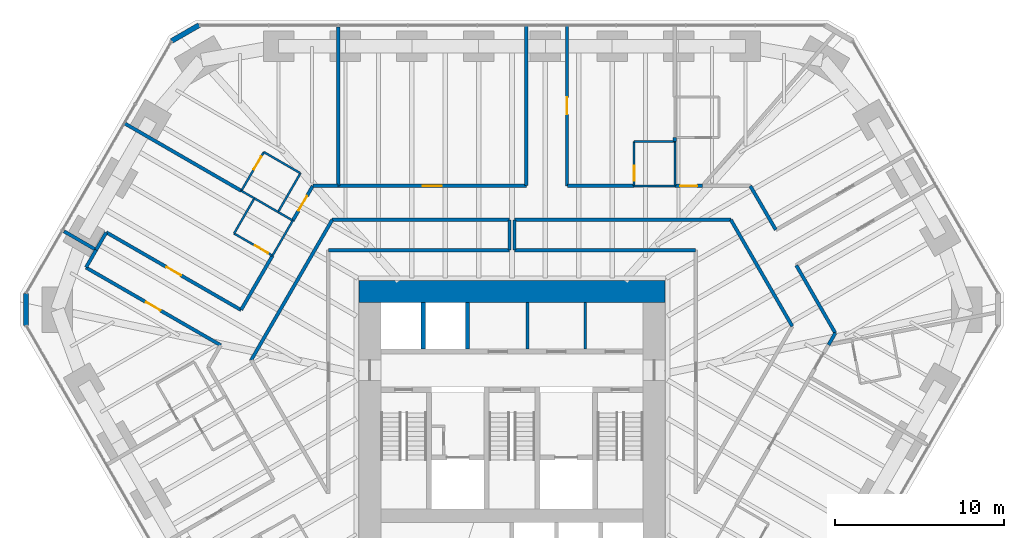
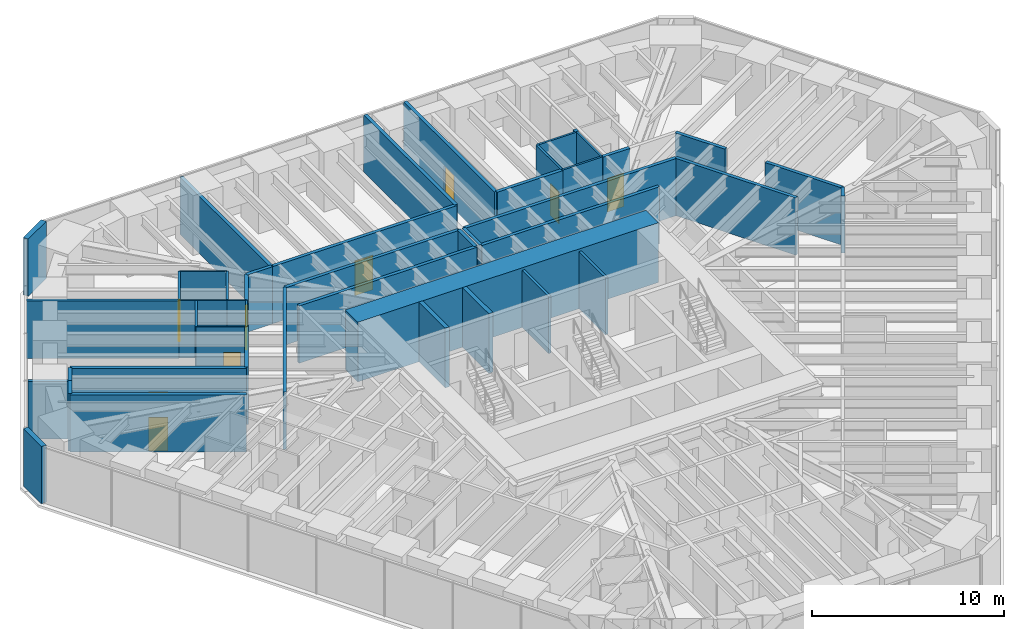
# One storey, part 14 of 16: 47 walls, 9 doors, 9 openings.
"""IFC4 building model written with IfcOpenShell, lengths in metres."""

import ifcopenshell
import ifcopenshell.guid

model = None  # the IFC model being written
_history = None  # IfcOwnerHistory: only IFC2X3 demands one
_inside = {}  # id of a spatial element -> (the spatial element, [elements in it])
_under = {}  # id of a project, library or spatial element -> (it, [spatial elements below it])
_declared = {}  # id of a project -> (the project, [libraries it declares])
_typed = {}  # id of a type object -> (the type object, [elements of that type])
_made_of = {}  # id of a material, layer set ... -> (it, [elements and type objects made of it])


def new_model(schema):
    """Start an empty IFC model of exactly this schema.

    Asked for "IFC4X3", IfcOpenShell would pick the latest addendum, in which some entities
    have other attributes; the version numbers below select the first issue.
    IFC2X3 requires an IfcOwnerHistory on every rooted entity: one is made here for all.
    """
    global model, _history
    if schema == "IFC4X3":
        model = ifcopenshell.file(schema_version=(4, 3, 0, 0))
    else:
        model = ifcopenshell.file(schema=schema)
    _inside.clear()
    _under.clear()
    _declared.clear()
    _typed.clear()
    _made_of.clear()
    _history = None
    if model.schema == "IFC2X3":
        org = make("IfcOrganization", Name="unknown")
        user = make(
            "IfcPersonAndOrganization",
            ThePerson=make("IfcPerson", FamilyName="unknown"),
            TheOrganization=org,
        )
        app = make(
            "IfcApplication",
            ApplicationDeveloper=org,
            Version="unknown",
            ApplicationFullName="unknown",
            ApplicationIdentifier="unknown",
        )
        _history = make(
            "IfcOwnerHistory",
            OwningUser=user,
            OwningApplication=app,
            ChangeAction="ADDED",
            CreationDate=0,
        )
    return model


def make(cls, **values):
    """One entity of the class cls with the attributes given. An attribute that is None is left unset."""
    return model.create_entity(
        cls, **{name: value for name, value in values.items() if value is not None}
    )


def rooted(cls, **values):
    """An entity with a GlobalId (a new one), such as an element, a storey or a relation."""
    return make(cls, GlobalId=ifcopenshell.guid.new(), OwnerHistory=_history, **values)


def si_unit(unit_type, name, prefix=None):
    """IfcSIUnit, for example si_unit("LENGTHUNIT", "METRE", prefix="MILLI")."""
    return make("IfcSIUnit", UnitType=unit_type, Prefix=prefix, Name=name)


def assignment(units):
    """IfcUnitAssignment: the units of a project."""
    return None if units is None else make("IfcUnitAssignment", Units=units)


def point(xyz):
    """IfcCartesianPoint."""
    return None if xyz is None else make("IfcCartesianPoint", Coordinates=xyz)


def direction(xyz):
    """IfcDirection."""
    return None if xyz is None else make("IfcDirection", DirectionRatios=xyz)


def frame(location, z_axis=None, x_axis=None):
    """IfcAxis2Placement3D, a coordinate frame: its origin and axes. An axis left out is left unset."""
    return make(
        "IfcAxis2Placement3D",
        Location=point(location),
        Axis=direction(z_axis),
        RefDirection=direction(x_axis),
    )


def frame_2d(location, x_axis=None):
    """IfcAxis2Placement2D, a coordinate frame in the plane: its origin and x axis."""
    return make(
        "IfcAxis2Placement2D", Location=point(location), RefDirection=direction(x_axis)
    )


def origin():
    """The frame at (0, 0, 0) with its axes left unset."""
    return frame((0.0, 0.0, 0.0))


def place(relative_to, where):
    """IfcLocalPlacement: puts the frame where relative to a parent placement (None: the world)."""
    return make(
        "IfcLocalPlacement", PlacementRelTo=relative_to, RelativePlacement=where
    )


def context(
    kind, dimensions, precision=None, world=None, true_north=None, identifier=None
):
    """IfcGeometricRepresentationContext, for example the 3D "Model" context."""
    return make(
        "IfcGeometricRepresentationContext",
        ContextIdentifier=identifier,
        ContextType=kind,
        CoordinateSpaceDimension=dimensions,
        Precision=precision,
        WorldCoordinateSystem=world,
        TrueNorth=true_north,
    )


def subcontext(parent, identifier, kind, view, scale=None):
    """IfcGeometricRepresentationSubContext, for example "Body" below "Model"."""
    return make(
        "IfcGeometricRepresentationSubContext",
        ContextIdentifier=identifier,
        ContextType=kind,
        ParentContext=parent,
        TargetScale=scale,
        TargetView=view,
    )


def project(units=None, contexts=None):
    """IfcProject with its units and contexts."""
    return rooted(
        "IfcProject",
        Name="project",
        RepresentationContexts=contexts,
        UnitsInContext=assignment(units),
    )


def spatial(cls, under=None, at=None, **own):
    """A site, building, storey or space (cls), placed at a placement, below another one or the project."""
    s = rooted(cls, ObjectPlacement=at, **own)
    if under is not None:
        _under.setdefault(under.id(), (under, []))[1].append(s)
    return s


def profile(cls, at=None, kind="AREA", **sizes):
    """A parametric profile (cls). Its sizes go by their IFC names, for example OverallWidth=200.0."""
    return make(cls, ProfileType=kind, Position=at, **sizes)


def rectangle(**sizes):
    """IfcRectangleProfileDef."""
    return profile("IfcRectangleProfileDef", **sizes)


def extrude(swept, where, along, depth):
    """IfcExtrudedAreaSolid: the profile swept, set in the frame where, extruded along a direction by depth."""
    return make(
        "IfcExtrudedAreaSolid",
        SweptArea=swept,
        Position=where,
        ExtrudedDirection=direction(along),
        Depth=depth,
    )


def shape(context_of_items, identifier, shape_type, items):
    """IfcShapeRepresentation: the items that make up one representation, for example the "Body"."""
    return make(
        "IfcShapeRepresentation",
        ContextOfItems=context_of_items,
        RepresentationIdentifier=identifier,
        RepresentationType=shape_type,
        Items=items,
    )


def material(Name=None, Category=None):
    """IfcMaterial."""
    return make("IfcMaterial", Name=Name, Category=Category)


def layer(
    of_material, thickness, ventilated=None, Name=None, Category=None, Priority=None
):
    """IfcMaterialLayer: one layer of a wall or slab, of a material (None: an air gap)."""
    return make(
        "IfcMaterialLayer",
        Material=of_material,
        LayerThickness=thickness,
        IsVentilated=ventilated,
        Name=Name,
        Category=Category,
        Priority=Priority,
    )


def layer_set(layers, Name=None):
    """IfcMaterialLayerSet."""
    return make("IfcMaterialLayerSet", MaterialLayers=layers, LayerSetName=Name)


def made_of(thing, what):
    """Note that an element or type object is made of a material, layer set ...; save() writes the relation."""
    if what is not None:
        _made_of.setdefault(what.id(), (what, []))[1].append(thing)
    return thing


def type_object(cls, material=None, **own):
    """A type object (cls), such as IfcWallType, which elements share."""
    return made_of(rooted(cls, **own), material)


def element(
    cls,
    number,
    at=None,
    inside=None,
    cuts=None,
    type_object=None,
    material=None,
    context=None,
    identifier="Body",
    shape_type=None,
    held_by="IfcProductDefinitionShape",
    body=None,
    shapes=None,
    **own,
):
    """One element of the class cls, such as IfcWall. Its Tag is "e" and its number.

    at: its placement. inside: the storey or other place that contains it. cuts: it is an
    opening in that element (IfcRelVoidsElement). A single representation is given by context,
    identifier, shape_type and body (its items); several are given by shapes. held_by: the class
    of the entity that holds the representations. save() writes the other relations.
    """
    e = rooted(cls, Tag="e%d" % number, ObjectPlacement=at, **own)
    if body is not None:
        shapes = [shape(context, identifier, shape_type, body)]
    if shapes is not None:
        e.Representation = make(held_by, Representations=shapes)
    if inside is not None:
        _inside.setdefault(inside.id(), (inside, []))[1].append(e)
    if cuts is not None:
        rooted(
            "IfcRelVoidsElement", RelatingBuildingElement=cuts, RelatedOpeningElement=e
        )
    if type_object is not None:
        _typed.setdefault(type_object.id(), (type_object, []))[1].append(e)
    return made_of(e, material)


def fill(opening, filler):
    """IfcRelFillsElement: the door or window that sits in an opening."""
    return rooted(
        "IfcRelFillsElement",
        RelatingOpeningElement=opening,
        RelatedBuildingElement=filler,
    )


def aggregate(whole, parts):
    """IfcRelAggregates: a whole, such as a stair, and the parts it consists of."""
    return rooted("IfcRelAggregates", RelatingObject=whole, RelatedObjects=parts)


def save(model, path):
    """Write the relations noted so far, then the file.

    IfcRelAggregates (storeys below a building ...), IfcRelContainedInSpatialStructure (elements
    in a storey), IfcRelDefinesByType, IfcRelAssociatesMaterial and IfcRelDeclares: one each for
    every whole, place, type object, material and project.
    """
    for whole, parts in _under.values():
        aggregate(whole, parts)
    for where, things in _inside.values():
        rooted(
            "IfcRelContainedInSpatialStructure",
            RelatedElements=things,
            RelatingStructure=where,
        )
    for kind, things in _typed.values():
        rooted("IfcRelDefinesByType", RelatedObjects=things, RelatingType=kind)
    for what, things in _made_of.values():
        rooted("IfcRelAssociatesMaterial", RelatedObjects=things, RelatingMaterial=what)
    for by, libraries in _declared.values():
        rooted("IfcRelDeclares", RelatingContext=by, RelatedDefinitions=libraries)
    model.write(path)


model = new_model("IFC4")

# Units and contexts
model_context = context("Model", 3, precision=1e-05, world=origin(), true_north=direction((0.0, 1.0)))
body_context = subcontext(model_context, "Body", "Model", "MODEL_VIEW")
ifc_project = project(units=[si_unit("LENGTHUNIT", "METRE"), si_unit("AREAUNIT", "SQUARE_METRE"), si_unit("VOLUMEUNIT", "CUBIC_METRE"), si_unit("PLANEANGLEUNIT", "RADIAN"), si_unit("MASSUNIT", "GRAM", prefix="KILO")], contexts=[model_context])

# Site, building, storey
site_placement = place(None, origin())
site = spatial("IfcSite", under=ifc_project, at=site_placement, CompositionType="ELEMENT")
building_placement = place(site_placement, origin())
building = spatial("IfcBuilding", under=site, at=building_placement, Name="Sandreach Pilgrim Tower", CompositionType="ELEMENT")
storey_placement = place(building_placement, frame((0.0, 0.0, 131.0)))
storey = spatial("IfcBuildingStorey", under=building, at=storey_placement, Name="L32", CompositionType="ELEMENT", Elevation=131.0)

# Walls
ifc_material_1 = material(Name="Gypsum board on steel studs", Category="steel")
ifc_layer_1 = layer(ifc_material_1, 0.14990234375)
ifc_layer_set_1 = layer_set([ifc_layer_1], Name="Back of house wall 150")
wall_type_1 = type_object("IfcWallType", Name="Back of house wall 150", PredefinedType="PARTITIONING", material=ifc_layer_set_1)
for number, where, z_axis, x_axis, name in (
    (1, (0.916748046875, 3.35009765625, 0.0), (0.0, 0.0, 1.0), (0.0, 1.0, 0.0), "Core room partition L32 1"),
    (2, (4.333251953125, 3.35009765625, 0.0), (0.0, 0.0, 1.0), (0.0, 1.0, 0.0), "Core room partition L32 2"),
):
    element("IfcWall", number, at=place(storey_placement, frame(where, z_axis=z_axis, x_axis=x_axis)), inside=storey, type_object=wall_type_1, Name=name, PredefinedType="PARTITIONING", context=body_context, shape_type="SweptSolid", body=[
        extrude(rectangle(XDim=2.75, YDim=0.14990234375, at=frame_2d((1.375, 0.0))), origin(), (0.0, 0.0, 1.0), 3.639892578125),
    ])

# Wall, opening, door
ifc_material_2 = material(Name="Moisture-resistant gypsum board on steel studs", Category="steel")
ifc_layer_2 = layer(ifc_material_2, 0.1201171875)
ifc_layer_set_2 = layer_set([ifc_layer_2], Name="Bathroom partition 120")
wall_type_2 = type_object("IfcWallType", Name="Bathroom partition 120", PredefinedType="PARTITIONING", material=ifc_layer_set_2)
wall_1_placement = place(storey_placement, frame((-16.419921875, 10.179931640625, 0.0), z_axis=(0.0, 0.0, 1.0), x_axis=(0.866114241029, -0.499846097802, 0.0)))
wall_1 = element("IfcWall", 3, at=wall_1_placement, inside=storey, type_object=wall_type_2, Name="Bathroom partition L32-019", PredefinedType="PARTITIONING", context=body_context, shape_type="SweptSolid", body=[
    extrude(rectangle(XDim=2.620849609375, YDim=0.1201171875, at=frame_2d((1.310546875, 0.0))), origin(), (0.0, 0.0, 1.0), 3.639892578125),
])
opening_1_placement = place(wall_1_placement, frame((1.4208984375, 0.0, 0.0)))
opening_1 = element("IfcOpeningElement", 4, at=opening_1_placement, cuts=wall_1, Name="Opening D09-16B", PredefinedType="OPENING", context=body_context, shape_type="SweptSolid", body=[
    extrude(rectangle(XDim=0.89990234375, YDim=2.030029296875, at=frame_2d((0.449951171875, 1.01513671875))), frame((0.0, 0.06005859375, 0.0), z_axis=(0.0, -1.0, 0.0), x_axis=(1.0, 0.0, 0.0)), (0.0, 0.0, 1.0), 0.1201171875),
])
ifc_material_3 = material(Name="Timber door, steel frame", Category="steel")
door_type_1 = type_object("IfcDoorType", Name="Bathroom door", OperationType="SINGLE_SWING_LEFT", PredefinedType="DOOR", material=ifc_material_3)
door_1_placement = place(opening_1_placement, origin())
door_1 = element("IfcDoor", 5, at=door_1_placement, inside=storey, type_object=door_type_1, Name="Door 3216B", OperationType="SINGLE_SWING_RIGHT", OverallHeight=2.030029296875, OverallWidth=0.89990234375, PredefinedType="DOOR", context=body_context, shape_type="SweptSolid", body=[
    extrude(rectangle(XDim=0.89990234375, YDim=2.030029296875, at=frame_2d((0.449951171875, 1.01513671875))), frame((0.0, 0.02490234375, 0.0), z_axis=(0.0, -1.0, 0.0), x_axis=(1.0, 0.0, 0.0)), (0.0, 0.0, 1.0), 0.050048828125),
])
fill(opening_1, door_1)

# Walls
wall_2_placement = place(storey_placement, frame((-15.989990234375, 12.699951171875, 0.0), z_axis=(0.0, 0.0, 1.0), x_axis=(0.868277022428, -0.496079643125, 0.0)))
element("IfcWall", 6, at=wall_2_placement, inside=storey, type_object=wall_type_2, Name="Bathroom partition L32-022", PredefinedType="PARTITIONING", context=body_context, shape_type="SweptSolid", body=[
    extrude(rectangle(XDim=0.88671875, YDim=0.1201171875, at=frame_2d((0.443359375, 0.0))), origin(), (0.0, 0.0, 1.0), 3.639892578125),
])
wall_3_placement = place(storey_placement, frame((-15.219970703125, 12.260009765625, 0.0), z_axis=(0.0, 0.0, 1.0), x_axis=(-0.499693115345, -0.866202511239, 0.0)))
element("IfcWall", 7, at=wall_3_placement, inside=storey, type_object=wall_type_2, Name="Bathroom partition L32-025", PredefinedType="PARTITIONING", context=body_context, shape_type="SweptSolid", body=[
    extrude(rectangle(XDim=2.4013671875, YDim=0.1201171875, at=frame_2d((1.20068359375, 0.0))), origin(), (0.0, 0.0, 1.0), 3.639892578125),
])
wall_4_placement = place(storey_placement, frame((-15.219970703125, 12.260009765625, 0.0), z_axis=(0.0, 0.0, 1.0), x_axis=(0.864822777425, -0.502077248685, 0.0)))
element("IfcWall", 8, at=wall_4_placement, inside=storey, type_object=wall_type_2, Name="Bathroom partition L32-026", PredefinedType="PARTITIONING", context=body_context, shape_type="SweptSolid", body=[
    extrude(rectangle(XDim=1.6171875, YDim=0.1201171875, at=frame_2d((0.80859375, 0.0))), origin(), (0.0, 0.0, 1.0), 3.639892578125),
])

# Wall, opening, door
wall_5_placement = place(storey_placement, frame((-14.659912109375, 14.989990234375, 0.0), z_axis=(0.0, 0.0, 1.0), x_axis=(-0.502242265546, -0.864726954997, 0.0)))
wall_5 = element("IfcWall", 9, at=wall_5_placement, inside=storey, type_object=wall_type_2, Name="Bathroom partition L32-029", PredefinedType="PARTITIONING", context=body_context, shape_type="SweptSolid", body=[
    extrude(rectangle(XDim=2.648193359375, YDim=0.1201171875, at=frame_2d((1.32421875, 0.0))), origin(), (0.0, 0.0, 1.0), 3.639892578125),
])
opening_2_placement = place(wall_5_placement, frame((0.300048828125, 0.0, 0.0)))
opening_2 = element("IfcOpeningElement", 10, at=opening_2_placement, cuts=wall_5, Name="Opening D09-17B", PredefinedType="OPENING", context=body_context, shape_type="SweptSolid", body=[
    extrude(rectangle(XDim=0.89990234375, YDim=2.030029296875, at=frame_2d((0.449951171875, 1.01513671875))), frame((0.0, 0.06005859375, 0.0), z_axis=(0.0, -1.0, 0.0), x_axis=(1.0, 0.0, 0.0)), (0.0, 0.0, 1.0), 0.1201171875),
])
door_2_placement = place(opening_2_placement, origin())
door_2 = element("IfcDoor", 11, at=door_2_placement, inside=storey, type_object=door_type_1, Name="Door 3217B", OperationType="SINGLE_SWING_LEFT", OverallHeight=2.030029296875, OverallWidth=0.89990234375, PredefinedType="DOOR", context=body_context, shape_type="SweptSolid", body=[
    extrude(rectangle(XDim=0.89990234375, YDim=2.030029296875, at=frame_2d((0.449951171875, 1.01513671875))), frame((0.0, 0.02490234375, 0.0), z_axis=(0.0, -1.0, 0.0), x_axis=(1.0, 0.0, 0.0)), (0.0, 0.0, 1.0), 0.050048828125),
])
fill(opening_2, door_2)

# Walls
wall_6_placement = place(storey_placement, frame((-14.14990234375, 8.8701171875, 0.0), z_axis=(0.0, 0.0, 1.0), x_axis=(0.500401517907, 0.865793463175, 0.0)))
element("IfcWall", 12, at=wall_6_placement, inside=storey, type_object=wall_type_2, Name="Bathroom partition L32-031", PredefinedType="PARTITIONING", context=body_context, shape_type="SweptSolid", body=[
    extrude(rectangle(XDim=2.39599609375, YDim=0.1201171875, at=frame_2d((1.197998046875, 0.0))), origin(), (0.0, 0.0, 1.0), 3.639892578125),
])
wall_7_placement = place(storey_placement, frame((-13.8212890625, 11.447998046875, 0.0), z_axis=(0.0, 0.0, 1.0), x_axis=(0.865694957185, -0.500571914019, 0.0)))
element("IfcWall", 13, at=wall_7_placement, inside=storey, type_object=wall_type_2, Name="Bathroom partition L32-033", PredefinedType="PARTITIONING", context=body_context, shape_type="SweptSolid", body=[
    extrude(rectangle(XDim=0.994873046875, YDim=0.1201171875, at=frame_2d((0.49755859375, 0.0))), origin(), (0.0, 0.0, 1.0), 3.639892578125),
])
wall_8_placement = place(storey_placement, frame((-13.820068359375, 11.449951171875, 0.0), z_axis=(0.0, 0.0, 1.0), x_axis=(0.499407914056, 0.866366975004, 0.0)))
element("IfcWall", 14, at=wall_8_placement, inside=storey, type_object=wall_type_2, Name="Bathroom partition L32-034", PredefinedType="PARTITIONING", context=body_context, shape_type="SweptSolid", body=[
    extrude(rectangle(XDim=2.643310546875, YDim=0.1201171875, at=frame_2d((1.32177734375, 0.0))), origin(), (0.0, 0.0, 1.0), 3.639892578125),
])
wall_9_placement = place(storey_placement, frame((-12.5, 13.739990234375, 0.0), z_axis=(0.0, 0.0, 1.0), x_axis=(-0.865508881864, 0.500893576935, 0.0)))
element("IfcWall", 15, at=wall_9_placement, inside=storey, type_object=wall_type_2, Name="Bathroom partition L32-038", PredefinedType="PARTITIONING", context=body_context, shape_type="SweptSolid", body=[
    extrude(rectangle(XDim=2.49560546875, YDim=0.1201171875, at=frame_2d((1.247802734375, 0.0))), origin(), (0.0, 0.0, 1.0), 3.639892578125),
])

# Wall, opening, door
wall_10_placement = place(storey_placement, frame((7.219970703125, 15.610107421875, 0.0), z_axis=(0.0, 0.0, 1.0), x_axis=(0.0, -1.0, 0.0)))
wall_10 = element("IfcWall", 16, at=wall_10_placement, inside=storey, type_object=wall_type_2, Name="Bathroom partition L32-087", PredefinedType="PARTITIONING", context=body_context, shape_type="SweptSolid", body=[
    extrude(rectangle(XDim=2.6201171875, YDim=0.1201171875, at=frame_2d((1.31005859375, 0.0))), origin(), (0.0, 0.0, 1.0), 3.639892578125),
])
opening_3_placement = place(wall_10_placement, frame((1.419921875, 0.0, 0.0)))
opening_3 = element("IfcOpeningElement", 17, at=opening_3_placement, cuts=wall_10, Name="Opening D09-02B", PredefinedType="OPENING", context=body_context, shape_type="SweptSolid", body=[
    extrude(rectangle(XDim=0.89990234375, YDim=2.030029296875, at=frame_2d((0.449951171875, 1.01513671875))), frame((0.0, 0.06005859375, 0.0), z_axis=(0.0, -1.0, 0.0), x_axis=(1.0, 0.0, 0.0)), (0.0, 0.0, 1.0), 0.1201171875),
])
door_3_placement = place(opening_3_placement, origin())
door_3 = element("IfcDoor", 18, at=door_3_placement, inside=storey, type_object=door_type_1, Name="Door 3202B", OperationType="SINGLE_SWING_RIGHT", OverallHeight=2.030029296875, OverallWidth=0.89990234375, PredefinedType="DOOR", context=body_context, shape_type="SweptSolid", body=[
    extrude(rectangle(XDim=0.89990234375, YDim=2.030029296875, at=frame_2d((0.449951171875, 1.01513671875))), frame((0.0, 0.02490234375, 0.0), z_axis=(0.0, -1.0, 0.0), x_axis=(1.0, 0.0, 0.0)), (0.0, 0.0, 1.0), 0.050048828125),
])
fill(opening_3, door_3)

# Walls
for number, where, z_axis, x_axis, name in (
    (19, (9.6201171875, 12.989990234375, 0.0), (0.0, 0.0, 1.0), (-1.0, 0.0, 0.0), "Bathroom partition L32-098"),
    (20, (9.6201171875, 15.610107421875, 0.0), (0.0, 0.0, 1.0), (-1.0, 0.0, 0.0), "Bathroom partition L32-099"),
):
    element("IfcWall", number, at=place(storey_placement, frame(where, z_axis=z_axis, x_axis=x_axis)), inside=storey, type_object=wall_type_2, Name=name, PredefinedType="PARTITIONING", context=body_context, shape_type="SweptSolid", body=[
        extrude(rectangle(XDim=2.400146484375, YDim=0.1201171875, at=frame_2d((1.2001953125, 0.0))), origin(), (0.0, 0.0, 1.0), 3.639892578125),
    ])
wall_11_placement = place(storey_placement, frame((9.6201171875, 15.610107421875, 0.0), z_axis=(0.0, 0.0, 1.0), x_axis=(0.0, -1.0, 0.0)))
element("IfcWall", 21, at=wall_11_placement, inside=storey, type_object=wall_type_2, Name="Bathroom partition L32-100", PredefinedType="PARTITIONING", context=body_context, shape_type="SweptSolid", body=[
    extrude(rectangle(XDim=2.6201171875, YDim=0.1201171875, at=frame_2d((1.31005859375, 0.0))), origin(), (0.0, 0.0, 1.0), 3.639892578125),
])
ifc_material_4 = material(Name="Concrete 10000 psi", Category="concrete")
ifc_layer_3 = layer(ifc_material_4, 1.300048828125)
ifc_layer_set_3 = layer_set([ifc_layer_3], Name="Core wall 1300")
wall_type_3 = type_object("IfcWallType", Name="Core wall 1300", PredefinedType="SHEAR", material=ifc_layer_set_3)
wall_12_placement = place(storey_placement, frame((-9.050048828125, 6.75, 0.0), z_axis=(0.0, 0.0, 1.0), x_axis=(1.0, 0.0, 0.0)))
element("IfcWall", 22, at=wall_12_placement, inside=storey, type_object=wall_type_3, Name="Core wall N L32", PredefinedType="SHEAR", context=body_context, shape_type="SweptSolid", body=[
    extrude(rectangle(XDim=18.10009765625, YDim=1.300048828125, at=frame_2d((9.050048828125, 0.0))), origin(), (0.0, 0.0, 1.0), 3.800048828125),
])

# Wall, opening, door
ifc_material_5 = material(Name="Gypsum board on steel studs, two layers each side", Category="steel")
ifc_layer_4 = layer(ifc_material_5, 0.199951171875)
ifc_layer_set_4 = layer_set([ifc_layer_4], Name="Corridor wall 200")
wall_type_4 = type_object("IfcWallType", Name="Corridor wall 200", PredefinedType="PARTITIONING", material=ifc_layer_set_4)
wall_13_placement = place(storey_placement, frame((-25.169921875, 8.169921875, 0.0), z_axis=(0.0, 0.0, 1.0), x_axis=(0.866300573619, -0.499523088702, 0.0)))
wall_13 = element("IfcWall", 23, at=wall_13_placement, inside=storey, type_object=wall_type_4, Name="Corridor wall L32-002", PredefinedType="PARTITIONING", context=body_context, shape_type="SweptSolid", body=[
    extrude(rectangle(XDim=9.1884765625, YDim=0.199951171875, at=frame_2d((4.59423828125, 0.0))), origin(), (0.0, 0.0, 1.0), 3.639892578125),
])
opening_4_placement = place(wall_13_placement, frame((4.09423828125, 0.0, 0.0)))
opening_4 = element("IfcOpeningElement", 24, at=opening_4_placement, cuts=wall_13, Name="Opening D10-15", PredefinedType="OPENING", context=body_context, shape_type="SweptSolid", body=[
    extrude(rectangle(XDim=1.0, YDim=2.1298828125, at=frame_2d((0.5, 1.06494140625))), frame((0.0, 0.10009765625, 0.0), z_axis=(0.0, -1.0, 0.0), x_axis=(1.0, 0.0, 0.0)), (0.0, 0.0, 1.0), 0.199951171875),
])
ifc_material_6 = material(Name="Steel door and frame", Category="steel")
door_type_2 = type_object("IfcDoorType", Name="Guest room entry door", OperationType="SINGLE_SWING_LEFT", PredefinedType="DOOR", material=ifc_material_6)
door_4_placement = place(opening_4_placement, origin())
door_4 = element("IfcDoor", 25, at=door_4_placement, inside=storey, type_object=door_type_2, Name="Door 3215", OperationType="SINGLE_SWING_LEFT", OverallHeight=2.1298828125, OverallWidth=1.0, PredefinedType="DOOR", context=body_context, shape_type="SweptSolid", body=[
    extrude(rectangle(XDim=1.0, YDim=2.1298828125, at=frame_2d((0.5, 1.06494140625))), frame((0.0, 0.02490234375, 0.0), z_axis=(0.0, -1.0, 0.0), x_axis=(1.0, 0.0, 0.0)), (0.0, 0.0, 1.0), 0.050048828125),
])
fill(opening_4, door_4)

# Walls
for number, where, z_axis, x_axis, name in (
    (26, (-24.570068359375, 9.2099609375, 0.0), (0.0, 0.0, 1.0), (-0.499704629046, -0.866195869137, 0.0), "Corridor wall L32-003"),
    (27, (-23.9775390625, 10.237060546875, 0.0), (0.0, 0.0, 1.0), (-0.499704629046, -0.866195869137, 0.0), "Corridor wall L32-004"),
):
    element("IfcWall", number, at=place(storey_placement, frame(where, z_axis=z_axis, x_axis=x_axis)), inside=storey, type_object=wall_type_4, Name=name, PredefinedType="PARTITIONING", context=body_context, shape_type="SweptSolid", body=[
        extrude(rectangle(XDim=1.185791015625, YDim=0.199951171875, at=frame_2d((0.5927734375, 0.0))), origin(), (0.0, 0.0, 1.0), 3.639892578125),
    ])

# Wall, opening, door
wall_14_placement = place(storey_placement, frame((-16.010009765625, 5.659912109375, 0.0), z_axis=(0.0, 0.0, 1.0), x_axis=(-0.866289075554, 0.499543028754, 0.0)))
wall_14 = element("IfcWall", 28, at=wall_14_placement, inside=storey, type_object=wall_type_4, Name="Corridor wall L32-020", PredefinedType="PARTITIONING", context=body_context, shape_type="SweptSolid", body=[
    extrude(rectangle(XDim=9.1884765625, YDim=0.199951171875, at=frame_2d((4.59423828125, 0.0))), origin(), (0.0, 0.0, 1.0), 3.639892578125),
])
opening_5_placement = place(wall_14_placement, frame((4.09423828125, 0.0, 0.0)))
opening_5 = element("IfcOpeningElement", 29, at=opening_5_placement, cuts=wall_14, Name="Opening D10-16", PredefinedType="OPENING", context=body_context, shape_type="SweptSolid", body=[
    extrude(rectangle(XDim=1.0, YDim=2.1298828125, at=frame_2d((0.5, 1.06494140625))), frame((0.0, 0.10009765625, 0.0), z_axis=(0.0, -1.0, 0.0), x_axis=(1.0, 0.0, 0.0)), (0.0, 0.0, 1.0), 0.199951171875),
])
door_5_placement = place(opening_5_placement, origin())
door_5 = element("IfcDoor", 30, at=door_5_placement, inside=storey, type_object=door_type_2, Name="Door 3216", OperationType="SINGLE_SWING_LEFT", OverallHeight=2.1298828125, OverallWidth=1.0, PredefinedType="DOOR", context=body_context, shape_type="SweptSolid", body=[
    extrude(rectangle(XDim=1.0, YDim=2.1298828125, at=frame_2d((0.5, 1.06494140625))), frame((0.0, 0.02490234375, 0.0), z_axis=(0.0, -1.0, 0.0), x_axis=(1.0, 0.0, 0.0)), (0.0, 0.0, 1.0), 0.050048828125),
])
fill(opening_5, door_5)

# Walls
wall_15_placement = place(storey_placement, frame((-16.0048828125, 5.668701171875, 0.0), z_axis=(0.0, 0.0, 1.0), x_axis=(0.501374384923, 0.865230446842, 0.0)))
element("IfcWall", 31, at=wall_15_placement, inside=storey, type_object=wall_type_4, Name="Corridor wall L32-021", PredefinedType="PARTITIONING", context=body_context, shape_type="SweptSolid", body=[
    extrude(rectangle(XDim=3.69970703125, YDim=0.199951171875, at=frame_2d((1.849853515625, 0.0))), origin(), (0.0, 0.0, 1.0), 3.639892578125),
])
wall_16_placement = place(storey_placement, frame((-15.409912109375, 2.699951171875, 0.0), z_axis=(0.0, 0.0, 1.0), x_axis=(0.500296290322, 0.865854272894, 0.0)))
element("IfcWall", 32, at=wall_16_placement, inside=storey, type_object=wall_type_4, Name="Corridor wall L32-024", PredefinedType="PARTITIONING", context=body_context, shape_type="SweptSolid", body=[
    extrude(rectangle(XDim=9.574462890625, YDim=0.199951171875, at=frame_2d((4.787109375, 0.0))), origin(), (0.0, 0.0, 1.0), 3.639892578125),
])

# Wall, opening, door
wall_17_placement = place(storey_placement, frame((-12.950927734375, 10.944580078125, 0.0), z_axis=(0.0, 0.0, 1.0), x_axis=(0.499996855872, 0.86602721904, 0.0)))
wall_17 = element("IfcWall", 33, at=wall_17_placement, inside=storey, type_object=wall_type_4, Name="Corridor wall L32-036", PredefinedType="PARTITIONING", context=body_context, shape_type="SweptSolid", body=[
    extrude(rectangle(XDim=2.36181640625, YDim=0.199951171875, at=frame_2d((1.180908203125, 0.0))), origin(), (0.0, 0.0, 1.0), 3.639892578125),
])
opening_6_placement = place(wall_17_placement, frame((0.680908203125, 0.0, 0.0)))
opening_6 = element("IfcOpeningElement", 34, at=opening_6_placement, cuts=wall_17, Name="Opening D10-17", PredefinedType="OPENING", context=body_context, shape_type="SweptSolid", body=[
    extrude(rectangle(XDim=1.0, YDim=2.1298828125, at=frame_2d((0.5, 1.06494140625))), frame((0.0, 0.10009765625, 0.0), z_axis=(0.0, -1.0, 0.0), x_axis=(1.0, 0.0, 0.0)), (0.0, 0.0, 1.0), 0.199951171875),
])
door_6_placement = place(opening_6_placement, origin())
door_6 = element("IfcDoor", 35, at=door_6_placement, inside=storey, type_object=door_type_2, Name="Door 3217", OperationType="SINGLE_SWING_LEFT", OverallHeight=2.1298828125, OverallWidth=1.0, PredefinedType="DOOR", context=body_context, shape_type="SweptSolid", body=[
    extrude(rectangle(XDim=1.0, YDim=2.1298828125, at=frame_2d((0.5, 1.06494140625))), frame((0.0, 0.02490234375, 0.0), z_axis=(0.0, -1.0, 0.0), x_axis=(1.0, 0.0, 0.0)), (0.0, 0.0, 1.0), 0.050048828125),
])
fill(opening_6, door_6)

# Walls
wall_18_placement = place(storey_placement, frame((-10.6201171875, 10.989990234375, 0.0), z_axis=(0.0, 0.0, 1.0), x_axis=(1.0, 0.0, 0.0)))
element("IfcWall", 36, at=wall_18_placement, inside=storey, type_object=wall_type_4, Name="Corridor wall L32-042", PredefinedType="PARTITIONING", context=body_context, shape_type="SweptSolid", body=[
    extrude(rectangle(XDim=10.47021484375, YDim=0.199951171875, at=frame_2d((5.235107421875, 0.0))), origin(), (0.0, 0.0, 1.0), 3.639892578125),
])
wall_19_placement = place(storey_placement, frame((-10.27001953125, 12.989990234375, 0.0), z_axis=(0.0, 0.0, 1.0), x_axis=(-1.0, 0.0, 0.0)))
element("IfcWall", 37, at=wall_19_placement, inside=storey, type_object=wall_type_4, Name="Corridor wall L32-043", PredefinedType="PARTITIONING", context=body_context, shape_type="SweptSolid", body=[
    extrude(rectangle(XDim=1.5, YDim=0.199951171875, at=frame_2d((0.75, 0.0))), origin(), (0.0, 0.0, 1.0), 3.639892578125),
])
wall_20_placement = place(storey_placement, frame((-0.14990234375, 9.199951171875, 0.0), z_axis=(0.0, 0.0, 1.0), x_axis=(-1.0, 0.0, 0.0)))
element("IfcWall", 38, at=wall_20_placement, inside=storey, type_object=wall_type_4, Name="Corridor wall L32-066", PredefinedType="PARTITIONING", context=body_context, shape_type="SweptSolid", body=[
    extrude(rectangle(XDim=10.690185546875, YDim=0.199951171875, at=frame_2d((5.34521484375, 0.0))), origin(), (0.0, 0.0, 1.0), 3.639892578125),
])
for number, where, z_axis, x_axis, name in (
    (39, (-0.14990234375, 10.97998046875, 0.0), (0.0, 0.0, 1.0), (0.0, -1.0, 0.0), "Corridor wall L32-067"),
    (40, (0.14990234375, 9.2099609375, 0.0), (0.0, 0.0, 1.0), (0.0, 1.0, 0.0), "Corridor wall L32-068"),
):
    element("IfcWall", number, at=place(storey_placement, frame(where, z_axis=z_axis, x_axis=x_axis)), inside=storey, type_object=wall_type_4, Name=name, PredefinedType="PARTITIONING", context=body_context, shape_type="SweptSolid", body=[
        extrude(rectangle(XDim=1.77001953125, YDim=0.199951171875, at=frame_2d((0.885009765625, 0.0))), origin(), (0.0, 0.0, 1.0), 3.639892578125),
    ])
wall_21_placement = place(storey_placement, frame((0.14990234375, 10.989990234375, 0.0), z_axis=(0.0, 0.0, 1.0), x_axis=(1.0, 0.0, 0.0)))
element("IfcWall", 41, at=wall_21_placement, inside=storey, type_object=wall_type_4, Name="Corridor wall L32-069", PredefinedType="PARTITIONING", context=body_context, shape_type="SweptSolid", body=[
    extrude(rectangle(XDim=12.780029296875, YDim=0.199951171875, at=frame_2d((6.39013671875, 0.0))), origin(), (0.0, 0.0, 1.0), 3.639892578125),
])

# Wall, opening, door
wall_22_placement = place(storey_placement, frame((0.85009765625, 12.989990234375, 0.0), z_axis=(0.0, 0.0, 1.0), x_axis=(-1.0, 0.0, 0.0)))
wall_22 = element("IfcWall", 42, at=wall_22_placement, inside=storey, type_object=wall_type_4, Name="Corridor wall L32-070", PredefinedType="PARTITIONING", context=body_context, shape_type="SweptSolid", body=[
    extrude(rectangle(XDim=11.1201171875, YDim=0.199951171875, at=frame_2d((5.56005859375, 0.0))), origin(), (0.0, 0.0, 1.0), 3.639892578125),
])
opening_7_placement = place(wall_22_placement, frame((5.010009765625, 0.0, 0.0)))
opening_7 = element("IfcOpeningElement", 43, at=opening_7_placement, cuts=wall_22, Name="Opening D11H-01", PredefinedType="OPENING", context=body_context, shape_type="SweptSolid", body=[
    extrude(rectangle(XDim=1.10009765625, YDim=2.199951171875, at=frame_2d((0.550048828125, 1.10009765625))), frame((0.0, 0.10009765625, 0.0), z_axis=(0.0, -1.0, 0.0), x_axis=(1.0, 0.0, 0.0)), (0.0, 0.0, 1.0), 0.199951171875),
])
ifc_material_7 = material(Name="Steel door and frame", Category="steel")
door_type_3 = type_object("IfcDoorType", Name="Back of house door", OperationType="SINGLE_SWING_LEFT", PredefinedType="DOOR", material=ifc_material_7)
door_7_placement = place(opening_7_placement, origin())
door_7 = element("IfcDoor", 44, at=door_7_placement, inside=storey, type_object=door_type_3, Name="Door 3201", OperationType="SINGLE_SWING_LEFT", OverallHeight=2.199951171875, OverallWidth=1.10009765625, PredefinedType="DOOR", context=body_context, shape_type="SweptSolid", body=[
    extrude(rectangle(XDim=1.10009765625, YDim=2.199951171875, at=frame_2d((0.550048828125, 1.10009765625))), frame((0.0, 0.02490234375, 0.0), z_axis=(0.0, -1.0, 0.0), x_axis=(1.0, 0.0, 0.0)), (0.0, 0.0, 1.0), 0.050048828125),
])
fill(opening_7, door_7)

# Wall
wall_23_placement = place(storey_placement, frame((0.85009765625, 22.4599609375, 0.0), z_axis=(0.0, 0.0, 1.0), x_axis=(0.0, -1.0, 0.0)))
element("IfcWall", 45, at=wall_23_placement, inside=storey, type_object=wall_type_4, Name="Corridor wall L32-071", PredefinedType="PARTITIONING", context=body_context, shape_type="SweptSolid", body=[
    extrude(rectangle(XDim=9.455078125, YDim=0.199951171875, at=frame_2d((4.7275390625, 0.0))), origin(), (0.0, 0.0, 1.0), 3.639892578125),
])

# Wall, opening, door
wall_24_placement = place(storey_placement, frame((3.25, 12.989990234375, 0.0), z_axis=(0.0, 0.0, 1.0), x_axis=(0.0, 1.0, 0.0)))
wall_24 = element("IfcWall", 46, at=wall_24_placement, inside=storey, type_object=wall_type_4, Name="Corridor wall L32-076", PredefinedType="PARTITIONING", context=body_context, shape_type="SweptSolid", body=[
    extrude(rectangle(XDim=9.469970703125, YDim=0.199951171875, at=frame_2d((4.73486328125, 0.0))), origin(), (0.0, 0.0, 1.0), 3.639892578125),
])
opening_8_placement = place(wall_24_placement, frame((4.235107421875, 0.0, 0.0)))
opening_8 = element("IfcOpeningElement", 47, at=opening_8_placement, cuts=wall_24, Name="Opening D10-02", PredefinedType="OPENING", context=body_context, shape_type="SweptSolid", body=[
    extrude(rectangle(XDim=1.0, YDim=2.1298828125, at=frame_2d((0.5, 1.06494140625))), frame((0.0, 0.10009765625, 0.0), z_axis=(0.0, -1.0, 0.0), x_axis=(1.0, 0.0, 0.0)), (0.0, 0.0, 1.0), 0.199951171875),
])
door_8_placement = place(opening_8_placement, origin())
door_8 = element("IfcDoor", 48, at=door_8_placement, inside=storey, type_object=door_type_2, Name="Door 3202", OperationType="SINGLE_SWING_LEFT", OverallHeight=2.1298828125, OverallWidth=1.0, PredefinedType="DOOR", context=body_context, shape_type="SweptSolid", body=[
    extrude(rectangle(XDim=1.0, YDim=2.1298828125, at=frame_2d((0.5, 1.06494140625))), frame((0.0, 0.02490234375, 0.0), z_axis=(0.0, -1.0, 0.0), x_axis=(1.0, 0.0, 0.0)), (0.0, 0.0, 1.0), 0.050048828125),
])
fill(opening_8, door_8)

# Walls
wall_25_placement = place(storey_placement, frame((7.219970703125, 12.989990234375, 0.0), z_axis=(0.0, 0.0, 1.0), x_axis=(-1.0, 0.0, 0.0)))
element("IfcWall", 49, at=wall_25_placement, inside=storey, type_object=wall_type_4, Name="Corridor wall L32-086", PredefinedType="PARTITIONING", context=body_context, shape_type="SweptSolid", body=[
    extrude(rectangle(XDim=3.955078125, YDim=0.199951171875, at=frame_2d((1.9775390625, 0.0))), origin(), (0.0, 0.0, 1.0), 3.639892578125),
])
wall_26_placement = place(storey_placement, frame((10.840087890625, 9.199951171875, 0.0), z_axis=(0.0, 0.0, 1.0), x_axis=(-1.0, 0.0, 0.0)))
element("IfcWall", 50, at=wall_26_placement, inside=storey, type_object=wall_type_4, Name="Corridor wall L32-108", PredefinedType="PARTITIONING", context=body_context, shape_type="SweptSolid", body=[
    extrude(rectangle(XDim=10.690185546875, YDim=0.199951171875, at=frame_2d((5.34521484375, 0.0))), origin(), (0.0, 0.0, 1.0), 3.639892578125),
])

# Wall, opening, door
wall_27_placement = place(storey_placement, frame((11.25, 12.989990234375, 0.0), z_axis=(0.0, 0.0, 1.0), x_axis=(-1.0, 0.0, 0.0)))
wall_27 = element("IfcWall", 51, at=wall_27_placement, inside=storey, type_object=wall_type_4, Name="Corridor wall L32-110", PredefinedType="PARTITIONING", context=body_context, shape_type="SweptSolid", body=[
    extrude(rectangle(XDim=1.6298828125, YDim=0.199951171875, at=frame_2d((0.81494140625, 0.0))), origin(), (0.0, 0.0, 1.0), 3.639892578125),
])
opening_9_placement = place(wall_27_placement, frame((0.31494140625, 0.0, 0.0)))
opening_9 = element("IfcOpeningElement", 52, at=opening_9_placement, cuts=wall_27, Name="Opening D10-03", PredefinedType="OPENING", context=body_context, shape_type="SweptSolid", body=[
    extrude(rectangle(XDim=1.0, YDim=2.1298828125, at=frame_2d((0.5, 1.06494140625))), frame((0.0, 0.10009765625, 0.0), z_axis=(0.0, -1.0, 0.0), x_axis=(1.0, 0.0, 0.0)), (0.0, 0.0, 1.0), 0.199951171875),
])
door_9_placement = place(opening_9_placement, origin())
door_9 = element("IfcDoor", 53, at=door_9_placement, inside=storey, type_object=door_type_2, Name="Door 3203", OperationType="SINGLE_SWING_LEFT", OverallHeight=2.1298828125, OverallWidth=1.0, PredefinedType="DOOR", context=body_context, shape_type="SweptSolid", body=[
    extrude(rectangle(XDim=1.0, YDim=2.1298828125, at=frame_2d((0.5, 1.06494140625))), frame((0.0, 0.02490234375, 0.0), z_axis=(0.0, -1.0, 0.0), x_axis=(1.0, 0.0, 0.0)), (0.0, 0.0, 1.0), 0.050048828125),
])
fill(opening_9, door_9)

# Walls
wall_28_placement = place(storey_placement, frame((12.929931640625, 10.989990234375, 0.0), z_axis=(0.0, 0.0, 1.0), x_axis=(0.4998524389, -0.866110581465, 0.0)))
element("IfcWall", 54, at=wall_28_placement, inside=storey, type_object=wall_type_4, Name="Corridor wall L32-116", PredefinedType="PARTITIONING", context=body_context, shape_type="SweptSolid", body=[
    extrude(rectangle(XDim=7.262451171875, YDim=0.199951171875, at=frame_2d((3.63134765625, 0.0))), origin(), (0.0, 0.0, 1.0), 3.639892578125),
])
wall_29_placement = place(storey_placement, frame((15.5849609375, 10.398681640625, 0.0), z_axis=(0.0, 0.0, 1.0), x_axis=(-0.502198411801, 0.864752424214, 0.0)))
element("IfcWall", 55, at=wall_29_placement, inside=storey, type_object=wall_type_4, Name="Corridor wall L32-122", PredefinedType="PARTITIONING", context=body_context, shape_type="SweptSolid", body=[
    extrude(rectangle(XDim=2.99658203125, YDim=0.199951171875, at=frame_2d((1.498291015625, 0.0))), origin(), (0.0, 0.0, 1.0), 3.639892578125),
])
wall_30_placement = place(storey_placement, frame((18.699951171875, 3.60009765625, 0.0), z_axis=(0.0, 0.0, 1.0), x_axis=(0.496301979961, 0.868149955185, 0.0)))
element("IfcWall", 56, at=wall_30_placement, inside=storey, type_object=wall_type_4, Name="Corridor wall L32-126", PredefinedType="PARTITIONING", context=body_context, shape_type="SweptSolid", body=[
    extrude(rectangle(XDim=0.80615234375, YDim=0.199951171875, at=frame_2d((0.403076171875, 0.0))), origin(), (0.0, 0.0, 1.0), 3.639892578125),
])
wall_31_placement = place(storey_placement, frame((19.10009765625, 4.300048828125, 0.0), z_axis=(0.0, 0.0, 1.0), x_axis=(-0.499190874865, 0.866492048695, 0.0)))
element("IfcWall", 57, at=wall_31_placement, inside=storey, type_object=wall_type_4, Name="Corridor wall L32-128", PredefinedType="PARTITIONING", context=body_context, shape_type="SweptSolid", body=[
    extrude(rectangle(XDim=4.613037109375, YDim=0.199951171875, at=frame_2d((2.306640625, 0.0))), origin(), (0.0, 0.0, 1.0), 3.639892578125),
])
ifc_material_8 = material(Name="Double steel stud acoustic wall, gypsum board", Category="steel")
ifc_layer_5 = layer(ifc_material_8, 0.199951171875)
ifc_layer_set_5 = layer_set([ifc_layer_5], Name="Party wall 200")
wall_type_5 = type_object("IfcWallType", Name="Party wall 200", PredefinedType="PARTITIONING", material=ifc_layer_set_5)
wall_32_placement = place(storey_placement, frame((-26.46630859375, 10.309814453125, 0.0), z_axis=(0.0, 0.0, 1.0), x_axis=(0.865037029405, -0.501708020425, 0.0)))
element("IfcWall", 58, at=wall_32_placement, inside=storey, type_object=wall_type_5, Name="Party wall L32-001", PredefinedType="PARTITIONING", context=body_context, shape_type="SweptSolid", body=[
    extrude(rectangle(XDim=2.17724609375, YDim=0.199951171875, at=frame_2d((1.088623046875, 0.0))), origin(), (0.0, 0.0, 1.0), 3.639892578125),
])
wall_33_placement = place(storey_placement, frame((-22.884033203125, 16.68505859375, 0.0), z_axis=(0.0, 0.0, 1.0), x_axis=(0.865762644918, -0.500454835789, 0.0)))
element("IfcWall", 59, at=wall_33_placement, inside=storey, type_object=wall_type_5, Name="Party wall L32-006", PredefinedType="PARTITIONING", context=body_context, shape_type="SweptSolid", body=[
    extrude(rectangle(XDim=7.962890625, YDim=0.199951171875, at=frame_2d((3.9814453125, 0.0))), origin(), (0.0, 0.0, 1.0), 3.639892578125),
])
wall_34_placement = place(storey_placement, frame((-10.27001953125, 13.0, 0.0), z_axis=(0.0, 0.0, 1.0), x_axis=(0.0, 1.0, 0.0)))
element("IfcWall", 60, at=wall_34_placement, inside=storey, type_object=wall_type_5, Name="Party wall L32-044", PredefinedType="PARTITIONING", context=body_context, shape_type="SweptSolid", body=[
    extrude(rectangle(XDim=9.3701171875, YDim=0.199951171875, at=frame_2d((4.68505859375, 0.0))), origin(), (0.0, 0.0, 1.0), 3.639892578125),
])
wall_35_placement = place(storey_placement, frame((9.6201171875, 15.840087890625, 0.0), z_axis=(0.0, 0.0, 1.0), x_axis=(0.0, -1.0, 0.0)))
element("IfcWall", 61, at=wall_35_placement, inside=storey, type_object=wall_type_5, Name="Party wall L32-101", PredefinedType="PARTITIONING", context=body_context, shape_type="SweptSolid", body=[
    extrude(rectangle(XDim=0.22998046875, YDim=0.199951171875, at=frame_2d((0.114990234375, 0.0))), origin(), (0.0, 0.0, 1.0), 3.639892578125),
])
ifc_material_9 = material(Name="Gypsum shaft wall on steel studs, two layers of shaft liner board", Category="steel")
ifc_layer_6 = layer(ifc_material_9, 0.25)
ifc_layer_set_6 = layer_set([ifc_layer_6], Name="Shaft partition 250")
wall_type_6 = type_object("IfcWallType", Name="Shaft partition 250", PredefinedType="PARTITIONING", material=ifc_layer_set_6)
for number, where, z_axis, x_axis, name in (
    (62, (-5.25, 3.35009765625, 0.0), (0.0, 0.0, 1.0), (0.0, 1.0, 0.0), "Shaft partition NS0 L32"),
    (63, (-2.625, 3.35009765625, 0.0), (0.0, 0.0, 1.0), (0.0, 1.0, 0.0), "Shaft partition NS1 L32"),
):
    element("IfcWall", number, at=place(storey_placement, frame(where, z_axis=z_axis, x_axis=x_axis)), inside=storey, type_object=wall_type_6, Name=name, PredefinedType="PARTITIONING", context=body_context, shape_type="SweptSolid", body=[
        extrude(rectangle(XDim=2.75, YDim=0.25, at=frame_2d((1.375, 0.0))), origin(), (0.0, 0.0, 1.0), 3.800048828125),
    ])
ifc_material_10 = material(Name="Terracotta rainscreen on concrete", Category="masonry")
ifc_layer_7 = layer(ifc_material_10, 0.300048828125)
ifc_layer_set_7 = layer_set([ifc_layer_7], Name="Terracotta chamfer pier")
wall_type_7 = type_object("IfcWallType", Name="Terracotta chamfer pier", PredefinedType="SOLIDWALL", material=ifc_layer_set_7)
wall_36_placement = place(storey_placement, frame((-28.720947265625, 4.758544921875, 0.0), z_axis=(0.0, 0.0, 1.0), x_axis=(0.0, 1.0, 0.0)))
element("IfcWall", 64, at=wall_36_placement, inside=storey, type_object=wall_type_7, Name="Chamfer pier L32 SW", PredefinedType="SOLIDWALL", context=body_context, shape_type="SweptSolid", body=[
    extrude(rectangle(XDim=1.8798828125, YDim=0.300048828125, at=frame_2d((0.93994140625, 0.0))), origin(), (0.0, 0.0, 1.0), 3.639892578125),
])
wall_37_placement = place(storey_placement, frame((-20.109619140625, 21.5537109375, 0.0), z_axis=(0.0, 0.0, 1.0), x_axis=(0.865988793993, 0.500063404658, 0.0)))
element("IfcWall", 65, at=wall_37_placement, inside=storey, type_object=wall_type_7, Name="Chamfer pier L32 NW", PredefinedType="SOLIDWALL", context=body_context, shape_type="SweptSolid", body=[
    extrude(rectangle(XDim=1.880126953125, YDim=0.300048828125, at=frame_2d((0.93994140625, 0.0))), origin(), (0.0, 0.0, 1.0), 3.639892578125),
])

save(model, "model.ifc")
